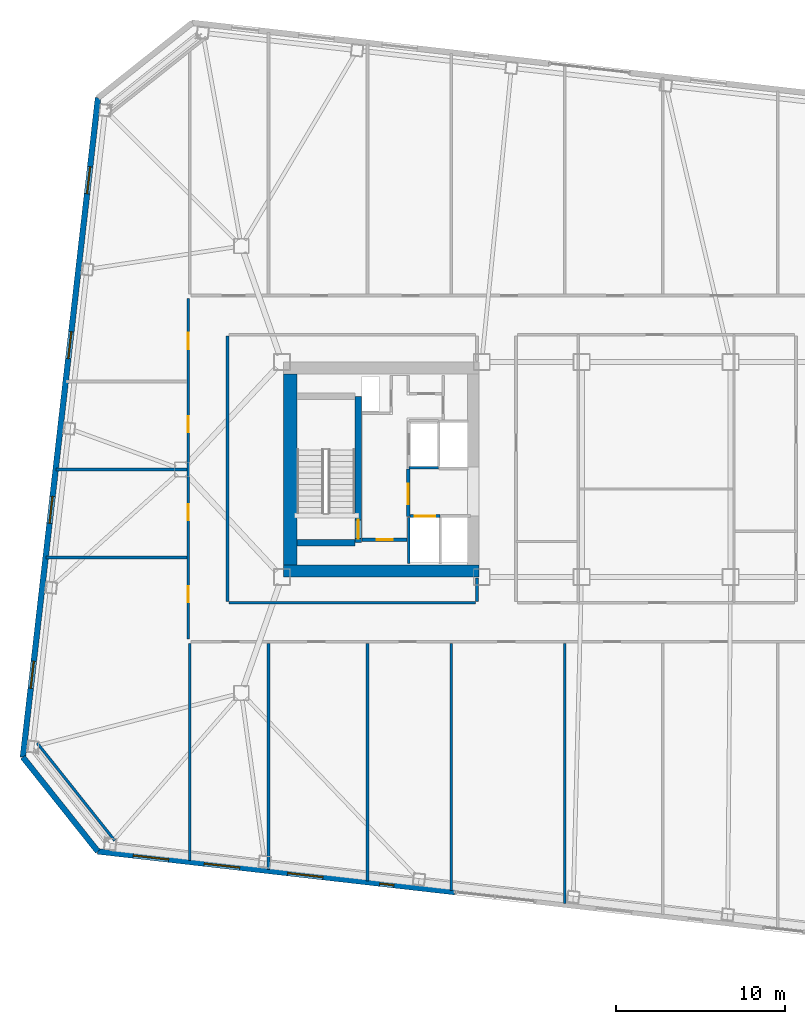
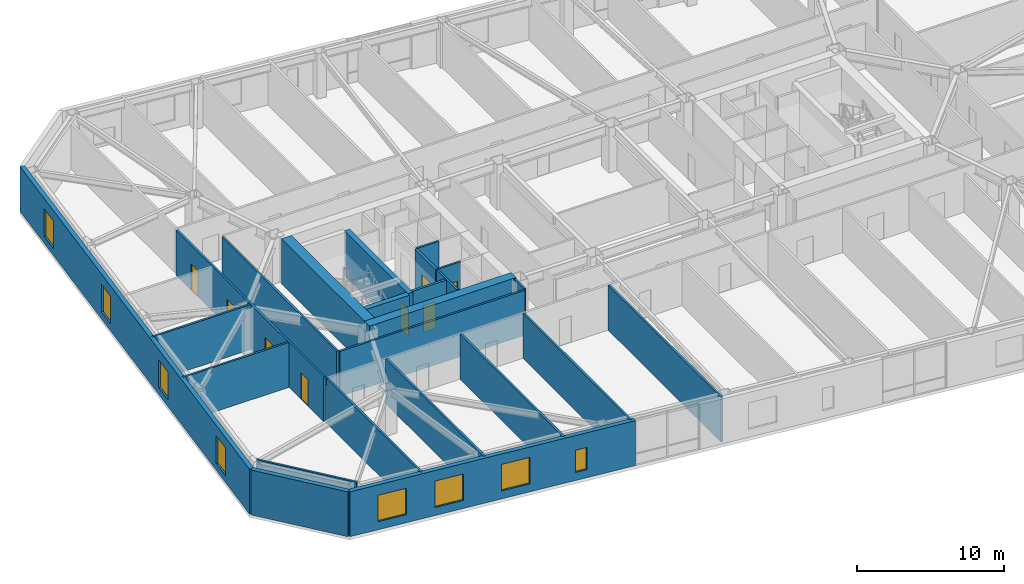
# One storey, part 11 of 21: 24 walls, 8 doors, 8 windows, 16 openings.
"""IFC4 building model written with IfcOpenShell, lengths in metres."""

from ifc_helpers import new_model, si_unit, direction, frame, frame_2d, origin, place, context, subcontext, project, spatial, rectangle, extrude, material, layer, layer_set, type_object, element, fill, save


model = new_model("IFC4")

# Units and contexts
model_context = context("Model", 3, precision=1e-05, world=origin(), true_north=direction((0.0, 1.0)))
body_context = subcontext(model_context, "Body", "Model", "MODEL_VIEW")
ifc_project = project(units=[si_unit("LENGTHUNIT", "METRE"), si_unit("AREAUNIT", "SQUARE_METRE"), si_unit("VOLUMEUNIT", "CUBIC_METRE"), si_unit("PLANEANGLEUNIT", "RADIAN"), si_unit("MASSUNIT", "GRAM", prefix="KILO")], contexts=[model_context])

# Site, building, storey
site_placement = place(None, origin())
site = spatial("IfcSite", under=ifc_project, at=site_placement, CompositionType="ELEMENT")
building_placement = place(site_placement, origin())
building = spatial("IfcBuilding", under=site, at=building_placement, Name="Tavrogorsk Clinical Tower", CompositionType="ELEMENT")
storey_placement = place(building_placement, frame((0.0, 0.0, 137.39990234375)))
storey = spatial("IfcBuildingStorey", under=building, at=storey_placement, Name="L31", CompositionType="ELEMENT", Elevation=137.39990234375)

# Wall, opening, door
ifc_material_1 = material(Name="Concrete B60", Category="concrete")
ifc_layer_1 = layer(ifc_material_1, 0.199951171875)
ifc_layer_set_1 = layer_set([ifc_layer_1], Name="Concrete B60")
wall_type_1 = type_object("IfcWallType", Name="CoreFireWall_200", PredefinedType="SOLIDWALL", material=ifc_layer_set_1)
wall_1_placement = place(storey_placement, frame((-17.3798828125, -4.139892578125, 0.0), z_axis=(0.0, 0.0, 1.0), x_axis=(1.0, 0.0, 0.0)))
wall_1 = element("IfcWall", 1, at=wall_1_placement, inside=storey, type_object=wall_type_1, Name="L31 Core West South Core Room Fire Wall", PredefinedType="SOLIDWALL", context=body_context, shape_type="SweptSolid", body=[
    extrude(rectangle(XDim=2.659912109375, YDim=0.199951171875, at=frame_2d((1.330078125, 0.0))), origin(), (0.0, 0.0, 1.0), 3.739990234375),
])
opening_1_placement = place(wall_1_placement, frame((0.8798828125, 0.0, 0.0)))
opening_1 = element("IfcOpeningElement", 2, at=opening_1_placement, cuts=wall_1, Name="Opening ID-02", PredefinedType="OPENING", context=body_context, shape_type="SweptSolid", body=[
    extrude(rectangle(XDim=0.949951171875, YDim=2.199951171875, at=frame_2d((0.47509765625, 1.10009765625))), frame((0.0, 0.10986328125, 0.0), z_axis=(0.0, -1.0, 0.0), x_axis=(1.0, 0.0, 0.0)), (0.0, 0.0, 1.0), 0.219970703125),
])
ifc_material_2 = material(Name="Laminated timber leaf on aluminium frame", Category="wood")
door_type_1 = type_object("IfcDoorType", Name="InteriorDoor_ID02_950", OperationType="NOTDEFINED", PredefinedType="DOOR", material=ifc_material_2)
door_1_placement = place(opening_1_placement, origin())
door_1 = element("IfcDoor", 3, at=door_1_placement, inside=storey, type_object=door_type_1, Name="L31 Core West South Core Room Door", OperationType="SINGLE_SWING_RIGHT", OverallHeight=2.199951171875, OverallWidth=0.949951171875, PredefinedType="DOOR", context=body_context, shape_type="SweptSolid", body=[
    extrude(rectangle(XDim=0.949951171875, YDim=2.199951171875, at=frame_2d((0.47509765625, 1.10009765625))), frame((0.0, 0.02490234375, 0.0), z_axis=(0.0, -1.0, 0.0), x_axis=(1.0, 0.0, 0.0)), (0.0, 0.0, 1.0), 0.050048828125),
])
fill(opening_1, door_1)

wall_2_placement = place(storey_placement, frame((-14.639892578125, -2.780029296875, 0.0), z_axis=(0.0, 0.0, 1.0), x_axis=(0.0, 1.0, 0.0)))
wall_2 = element("IfcWall", 4, at=wall_2_placement, inside=storey, type_object=wall_type_1, Name="L31 Core West Firefighting Lobby Fire Wall", PredefinedType="SOLIDWALL", context=body_context, shape_type="SweptSolid", body=[
    extrude(rectangle(XDim=2.820068359375, YDim=0.199951171875, at=frame_2d((1.41015625, 0.0))), origin(), (0.0, 0.0, 1.0), 3.739990234375),
])
opening_2_placement = place(wall_2_placement, frame((0.72998046875, 0.0, 0.0)))
opening_2 = element("IfcOpeningElement", 5, at=opening_2_placement, cuts=wall_2, Name="Opening FD-01", PredefinedType="OPENING", context=body_context, shape_type="SweptSolid", body=[
    extrude(rectangle(XDim=1.199951171875, YDim=2.199951171875, at=frame_2d((0.60009765625, 1.10009765625))), frame((0.0, 0.10986328125, 0.0), z_axis=(0.0, -1.0, 0.0), x_axis=(1.0, 0.0, 0.0)), (0.0, 0.0, 1.0), 0.219970703125),
])
ifc_material_3 = material(Name="Galvanised steel fire-rated door assembly", Category="steel")
door_type_2 = type_object("IfcDoorType", Name="FireDoor_FD01_1200", OperationType="NOTDEFINED", PredefinedType="DOOR", material=ifc_material_3)
door_2_placement = place(opening_2_placement, origin())
door_2 = element("IfcDoor", 6, at=door_2_placement, inside=storey, type_object=door_type_2, Name="L31 Core West Firefighting Lobby Entry Door", OperationType="SINGLE_SWING_LEFT", OverallHeight=2.199951171875, OverallWidth=1.199951171875, PredefinedType="DOOR", context=body_context, shape_type="SweptSolid", body=[
    extrude(rectangle(XDim=1.199951171875, YDim=2.199951171875, at=frame_2d((0.60009765625, 1.10009765625))), frame((0.0, 0.02490234375, 0.0), z_axis=(0.0, -1.0, 0.0), x_axis=(1.0, 0.0, 0.0)), (0.0, 0.0, 1.0), 0.050048828125),
])
fill(opening_2, door_2)

# Wall
ifc_material_4 = material(Name="Lightweight concrete blockwork B15", Category="masonry")
ifc_layer_2 = layer(ifc_material_4, 0.159912109375)
ifc_layer_set_2 = layer_set([ifc_layer_2], Name="Lightweight concrete blockwork B15")
wall_type_2 = type_object("IfcWallType", Name="PartitionWall_160", PredefinedType="PARTITIONING", material=ifc_layer_set_2)
wall_3_placement = place(storey_placement, frame((-36.555908203125, -16.161865234375, 0.0), z_axis=(0.0, 0.0, 1.0), x_axis=(0.622522641622, -0.782601789334, 0.0)))
element("IfcWall", 7, at=wall_3_placement, inside=storey, type_object=wall_type_2, Name="L31 Corner Exoskeleton Brace Furring Wall 4", PredefinedType="PARTITIONING", context=body_context, shape_type="SweptSolid", body=[
    extrude(rectangle(XDim=7.354248046875, YDim=0.159912109375, at=frame_2d((3.67724609375, 0.0))), origin(), (0.0, 0.0, 1.0), 3.739990234375),
])

# Wall, openings, doors
wall_4_placement = place(storey_placement, frame((-27.6298828125, -10.014892578125, 0.0), z_axis=(0.0, 0.0, 1.0), x_axis=(0.0, 1.0, 0.0)))
wall_4 = element("IfcWall", 8, at=wall_4_placement, inside=storey, type_object=wall_type_2, Name="L31 Corridor Partition 01", PredefinedType="PARTITIONING", context=body_context, shape_type="SweptSolid", body=[
    extrude(rectangle(XDim=20.1298828125, YDim=0.159912109375, at=frame_2d((10.06494140625, 0.0))), origin(), (0.0, 0.0, 1.0), 3.739990234375),
])
opening_3_placement = place(wall_4_placement, frame((2.169189453125, 0.0, 0.0)))
opening_3 = element("IfcOpeningElement", 9, at=opening_3_placement, cuts=wall_4, Name="Opening ID-02", PredefinedType="OPENING", context=body_context, shape_type="SweptSolid", body=[
    extrude(rectangle(XDim=0.949951171875, YDim=2.199951171875, at=frame_2d((0.47509765625, 1.10009765625))), frame((0.0, 0.08984375, 0.0), z_axis=(0.0, -1.0, 0.0), x_axis=(1.0, 0.0, 0.0)), (0.0, 0.0, 1.0), 0.179931640625),
])
opening_4_placement = place(wall_4_placement, frame((7.02490234375, 0.0, 0.0)))
opening_4 = element("IfcOpeningElement", 10, at=opening_4_placement, cuts=wall_4, Name="Opening ID-02", PredefinedType="OPENING", context=body_context, shape_type="SweptSolid", body=[
    extrude(rectangle(XDim=0.949951171875, YDim=2.199951171875, at=frame_2d((0.47509765625, 1.10009765625))), frame((0.0, 0.08984375, 0.0), z_axis=(0.0, -1.0, 0.0), x_axis=(1.0, 0.0, 0.0)), (0.0, 0.0, 1.0), 0.179931640625),
])
opening_5_placement = place(wall_4_placement, frame((12.22509765625, 0.0, 0.0)))
opening_5 = element("IfcOpeningElement", 11, at=opening_5_placement, cuts=wall_4, Name="Opening ID-02", PredefinedType="OPENING", context=body_context, shape_type="SweptSolid", body=[
    extrude(rectangle(XDim=0.949951171875, YDim=2.199951171875, at=frame_2d((0.47509765625, 1.10009765625))), frame((0.0, 0.08984375, 0.0), z_axis=(0.0, -1.0, 0.0), x_axis=(1.0, 0.0, 0.0)), (0.0, 0.0, 1.0), 0.179931640625),
])
opening_6_placement = place(wall_4_placement, frame((17.130859375, 0.0, 0.0)))
opening_6 = element("IfcOpeningElement", 12, at=opening_6_placement, cuts=wall_4, Name="Opening ID-02", PredefinedType="OPENING", context=body_context, shape_type="SweptSolid", body=[
    extrude(rectangle(XDim=0.949951171875, YDim=2.199951171875, at=frame_2d((0.47509765625, 1.10009765625))), frame((0.0, 0.08984375, 0.0), z_axis=(0.0, -1.0, 0.0), x_axis=(1.0, 0.0, 0.0)), (0.0, 0.0, 1.0), 0.179931640625),
])
door_3_placement = place(opening_3_placement, origin())
door_3 = element("IfcDoor", 13, at=door_3_placement, inside=storey, type_object=door_type_1, Name="L31 W Solarium Day Room & Lounge 1 Door", OperationType="SINGLE_SWING_RIGHT", OverallHeight=2.199951171875, OverallWidth=0.949951171875, PredefinedType="DOOR", context=body_context, shape_type="SweptSolid", body=[
    extrude(rectangle(XDim=0.949951171875, YDim=2.199951171875, at=frame_2d((0.47509765625, 1.10009765625))), frame((0.0, 0.02490234375, 0.0), z_axis=(0.0, -1.0, 0.0), x_axis=(1.0, 0.0, 0.0)), (0.0, 0.0, 1.0), 0.050048828125),
])
fill(opening_3, door_3)
door_4_placement = place(opening_4_placement, origin())
door_4 = element("IfcDoor", 14, at=door_4_placement, inside=storey, type_object=door_type_1, Name="L31 W Rehabilitation Therapy Suite 2 Door", OperationType="SINGLE_SWING_LEFT", OverallHeight=2.199951171875, OverallWidth=0.949951171875, PredefinedType="DOOR", context=body_context, shape_type="SweptSolid", body=[
    extrude(rectangle(XDim=0.949951171875, YDim=2.199951171875, at=frame_2d((0.47509765625, 1.10009765625))), frame((0.0, 0.02490234375, 0.0), z_axis=(0.0, -1.0, 0.0), x_axis=(1.0, 0.0, 0.0)), (0.0, 0.0, 1.0), 0.050048828125),
])
fill(opening_4, door_4)
door_5_placement = place(opening_5_placement, origin())
door_5 = element("IfcDoor", 15, at=door_5_placement, inside=storey, type_object=door_type_1, Name="L31 W Sub-Acute Observation Suite 3 Door", OperationType="SINGLE_SWING_RIGHT", OverallHeight=2.199951171875, OverallWidth=0.949951171875, PredefinedType="DOOR", context=body_context, shape_type="SweptSolid", body=[
    extrude(rectangle(XDim=0.949951171875, YDim=2.199951171875, at=frame_2d((0.47509765625, 1.10009765625))), frame((0.0, 0.02490234375, 0.0), z_axis=(0.0, -1.0, 0.0), x_axis=(1.0, 0.0, 0.0)), (0.0, 0.0, 1.0), 0.050048828125),
])
fill(opening_5, door_5)
door_6_placement = place(opening_6_placement, origin())
door_6 = element("IfcDoor", 16, at=door_6_placement, inside=storey, type_object=door_type_1, Name="L31 W Family Consultation Lounge 4 Door", OperationType="SINGLE_SWING_LEFT", OverallHeight=2.199951171875, OverallWidth=0.949951171875, PredefinedType="DOOR", context=body_context, shape_type="SweptSolid", body=[
    extrude(rectangle(XDim=0.949951171875, YDim=2.199951171875, at=frame_2d((0.47509765625, 1.10009765625))), frame((0.0, 0.02490234375, 0.0), z_axis=(0.0, -1.0, 0.0), x_axis=(1.0, 0.0, 0.0)), (0.0, 0.0, 1.0), 0.050048828125),
])
fill(opening_6, door_6)

# Walls
wall_5_placement = place(storey_placement, frame((-10.580078125, -7.784912109375, 0.0), z_axis=(0.0, 0.0, 1.0), x_axis=(0.0, 1.0, 0.0)))
element("IfcWall", 17, at=wall_5_placement, inside=storey, type_object=wall_type_2, Name="L31 Corridor Partition 14", PredefinedType="PARTITIONING", context=body_context, shape_type="SweptSolid", body=[
    extrude(rectangle(XDim=1.364990234375, YDim=0.159912109375, at=frame_2d((0.6826171875, 0.0))), origin(), (0.0, 0.0, 1.0), 3.739990234375),
])
wall_6_placement = place(storey_placement, frame((-25.320068359375, 7.885009765625, 0.0), z_axis=(0.0, 0.0, 1.0), x_axis=(0.0, -1.0, 0.0)))
element("IfcWall", 18, at=wall_6_placement, inside=storey, type_object=wall_type_2, Name="L31 Corridor Partition 17", PredefinedType="PARTITIONING", context=body_context, shape_type="SweptSolid", body=[
    extrude(rectangle(XDim=15.669921875, YDim=0.159912109375, at=frame_2d((7.8349609375, 0.0))), origin(), (0.0, 0.0, 1.0), 3.739990234375),
])
wall_7_placement = place(storey_placement, frame((-25.235107421875, -7.8701171875, 0.0), z_axis=(0.0, 0.0, 1.0), x_axis=(1.0, 0.0, 0.0)))
element("IfcWall", 19, at=wall_7_placement, inside=storey, type_object=wall_type_2, Name="L31 Corridor Partition 18", PredefinedType="PARTITIONING", context=body_context, shape_type="SweptSolid", body=[
    extrude(rectangle(XDim=14.570068359375, YDim=0.159912109375, at=frame_2d((7.28515625, 0.0))), origin(), (0.0, 0.0, 1.0), 3.739990234375),
])
wall_8_placement = place(storey_placement, frame((-27.550048828125, -23.1064453125, 0.0), z_axis=(0.0, 0.0, 1.0), x_axis=(0.0, 1.0, 0.0)))
element("IfcWall", 20, at=wall_8_placement, inside=storey, type_object=wall_type_2, Name="L31 SW Wing Closure Partition", PredefinedType="PARTITIONING", context=body_context, shape_type="SweptSolid", body=[
    extrude(rectangle(XDim=12.841552734375, YDim=0.159912109375, at=frame_2d((6.4208984375, 0.0))), origin(), (0.0, 0.0, 1.0), 3.739990234375),
])
wall_9_placement = place(storey_placement, frame((-22.89990234375, -23.63623046875, 0.0), z_axis=(0.0, 0.0, 1.0), x_axis=(0.0, 1.0, 0.0)))
element("IfcWall", 21, at=wall_9_placement, inside=storey, type_object=wall_type_2, Name="L31 South Room Partition 1", PredefinedType="PARTITIONING", context=body_context, shape_type="SweptSolid", body=[
    extrude(rectangle(XDim=13.371337890625, YDim=0.159912109375, at=frame_2d((6.685546875, 0.0))), origin(), (0.0, 0.0, 1.0), 3.739990234375),
])
wall_10_placement = place(storey_placement, frame((-12.10009765625, -24.86669921875, 0.0), z_axis=(0.0, 0.0, 1.0), x_axis=(0.0, 1.0, 0.0)))
element("IfcWall", 22, at=wall_10_placement, inside=storey, type_object=wall_type_2, Name="L31 South Room Partition 2", PredefinedType="PARTITIONING", context=body_context, shape_type="SweptSolid", body=[
    extrude(rectangle(XDim=14.601806640625, YDim=0.159912109375, at=frame_2d((7.30078125, 0.0))), origin(), (0.0, 0.0, 1.0), 3.739990234375),
])
wall_11_placement = place(storey_placement, frame((-17.050048828125, -24.302734375, 0.0), z_axis=(0.0, 0.0, 1.0), x_axis=(0.0, 1.0, 0.0)))
element("IfcWall", 23, at=wall_11_placement, inside=storey, type_object=wall_type_2, Name="L31 South Sub-Partition 2", PredefinedType="PARTITIONING", context=body_context, shape_type="SweptSolid", body=[
    extrude(rectangle(XDim=14.037841796875, YDim=0.159912109375, at=frame_2d((7.01904296875, 0.0))), origin(), (0.0, 0.0, 1.0), 3.739990234375),
])
wall_12_placement = place(storey_placement, frame((-5.39990234375, -25.630126953125, 0.0), z_axis=(0.0, 0.0, 1.0), x_axis=(0.0, 1.0, 0.0)))
element("IfcWall", 24, at=wall_12_placement, inside=storey, type_object=wall_type_2, Name="L31 South Sub-Partition 3", PredefinedType="PARTITIONING", context=body_context, shape_type="SweptSolid", body=[
    extrude(rectangle(XDim=15.365234375, YDim=0.159912109375, at=frame_2d((7.6826171875, 0.0))), origin(), (0.0, 0.0, 1.0), 3.739990234375),
])
wall_13_placement = place(storey_placement, frame((-36.0419921875, -5.199951171875, 0.0), z_axis=(0.0, 0.0, 1.0), x_axis=(1.0, 0.0, 0.0)))
element("IfcWall", 25, at=wall_13_placement, inside=storey, type_object=wall_type_2, Name="L31 W Wing Divider 1", PredefinedType="PARTITIONING", context=body_context, shape_type="SweptSolid", body=[
    extrude(rectangle(XDim=8.326904296875, YDim=0.159912109375, at=frame_2d((4.16357421875, 0.0))), origin(), (0.0, 0.0, 1.0), 3.739990234375),
])
wall_14_placement = place(storey_placement, frame((-35.449462890625, 0.0, 0.0), z_axis=(0.0, 0.0, 1.0), x_axis=(1.0, 0.0, 0.0)))
element("IfcWall", 26, at=wall_14_placement, inside=storey, type_object=wall_type_2, Name="L31 W Wing Divider 2", PredefinedType="PARTITIONING", context=body_context, shape_type="SweptSolid", body=[
    extrude(rectangle(XDim=7.734375, YDim=0.159912109375, at=frame_2d((3.8671875, 0.0))), origin(), (0.0, 0.0, 1.0), 3.739990234375),
])

# Wall, openings, windows
ifc_material_5 = material(Name="Precast concrete B45 with limestone cladding", Category="masonry")
ifc_layer_3 = layer(ifc_material_5, 0.340087890625)
ifc_layer_set_3 = layer_set([ifc_layer_3], Name="Precast concrete B45 with limestone cladding")
wall_type_3 = type_object("IfcWallType", Name="PrecastLimestoneWall_340", PredefinedType="STANDARD", material=ifc_layer_set_3)
wall_15_placement = place(storey_placement, frame((-32.977294921875, -22.55859375, 0.0), z_axis=(0.0, 0.0, 1.0), x_axis=(0.993571214605, -0.113208840243, 0.0)))
wall_15 = element("IfcWall", 27, at=wall_15_placement, inside=storey, type_object=wall_type_3, Name="L31 S Limestone Facade Wall 1", PredefinedType="STANDARD", context=body_context, shape_type="SweptSolid", body=[
    extrude(rectangle(XDim=21.22265625, YDim=0.340087890625, at=frame_2d((10.611328125, 0.0))), origin(), (0.0, 0.0, 1.0), 3.739990234375),
])
opening_7_placement = place(wall_15_placement, frame((2.10791015625, 0.0, 0.669921875)))
opening_7 = element("IfcOpeningElement", 28, at=opening_7_placement, cuts=wall_15, Name="Opening WN-03", PredefinedType="OPENING", context=body_context, shape_type="SweptSolid", body=[
    extrude(rectangle(XDim=2.10009765625, YDim=2.199951171875, at=frame_2d((1.050048828125, 1.10009765625))), frame((0.0, 0.179931640625, 0.0), z_axis=(0.0, -1.0, 0.0), x_axis=(1.0, 0.0, 0.0)), (0.0, 0.0, 1.0), 0.360107421875),
])
opening_8_placement = place(wall_15_placement, frame((6.329345703125, 0.0, 0.669921875)))
opening_8 = element("IfcOpeningElement", 29, at=opening_8_placement, cuts=wall_15, Name="Opening WN-03", PredefinedType="OPENING", context=body_context, shape_type="SweptSolid", body=[
    extrude(rectangle(XDim=2.10009765625, YDim=2.199951171875, at=frame_2d((1.050048828125, 1.10009765625))), frame((0.0, 0.179931640625, 0.0), z_axis=(0.0, -1.0, 0.0), x_axis=(1.0, 0.0, 0.0)), (0.0, 0.0, 1.0), 0.360107421875),
])
opening_9_placement = place(wall_15_placement, frame((11.284912109375, 0.0, 0.669921875)))
opening_9 = element("IfcOpeningElement", 30, at=opening_9_placement, cuts=wall_15, Name="Opening WN-03", PredefinedType="OPENING", context=body_context, shape_type="SweptSolid", body=[
    extrude(rectangle(XDim=2.10009765625, YDim=2.199951171875, at=frame_2d((1.050048828125, 1.10009765625))), frame((0.0, 0.179931640625, 0.0), z_axis=(0.0, -1.0, 0.0), x_axis=(1.0, 0.0, 0.0)), (0.0, 0.0, 1.0), 0.360107421875),
])
opening_10_placement = place(wall_15_placement, frame((16.75634765625, 0.0, 0.669921875)))
opening_10 = element("IfcOpeningElement", 31, at=opening_10_placement, cuts=wall_15, Name="Opening WN-06", PredefinedType="OPENING", context=body_context, shape_type="SweptSolid", body=[
    extrude(rectangle(XDim=0.85009765625, YDim=1.85009765625, at=frame_2d((0.425048828125, 0.925048828125))), frame((0.0, 0.179931640625, 0.0), z_axis=(0.0, -1.0, 0.0), x_axis=(1.0, 0.0, 0.0)), (0.0, 0.0, 1.0), 0.360107421875),
])
ifc_material_6 = material(Name="Thermally broken aluminium frame and triple IGU", Category="aluminium")
window_type_1 = type_object("IfcWindowType", Name="MullionSubWin_850x1850", PartitioningType="SINGLE_PANEL", PredefinedType="WINDOW", material=ifc_material_6)
window_1_placement = place(opening_10_placement, origin())
window_1 = element("IfcWindow", 32, at=window_1_placement, inside=storey, type_object=window_type_1, Name="L31 S Mullion Split Window 04B", OverallHeight=1.85009765625, OverallWidth=0.85009765625, PartitioningType="SINGLE_PANEL", PredefinedType="WINDOW", context=body_context, shape_type="SweptSolid", body=[
    extrude(rectangle(XDim=0.85009765625, YDim=1.85009765625, at=frame_2d((0.425048828125, 0.925048828125))), frame((0.0, 0.030029296875, 0.0), z_axis=(0.0, -1.0, 0.0), x_axis=(1.0, 0.0, 0.0)), (0.0, 0.0, 1.0), 0.06005859375),
])
fill(opening_10, window_1)
ifc_material_7 = material(Name="Thermally broken aluminium frame and triple IGU", Category="aluminium")
window_type_2 = type_object("IfcWindowType", Name="PatientTwinWin_2100x2200", PartitioningType="DOUBLE_PANEL_VERTICAL", PredefinedType="WINDOW", material=ifc_material_7)
window_2_placement = place(opening_7_placement, origin())
window_2 = element("IfcWindow", 33, at=window_2_placement, inside=storey, type_object=window_type_2, Name="L31 S Chicago Window 01", OverallHeight=2.199951171875, OverallWidth=2.10009765625, PartitioningType="SINGLE_PANEL", PredefinedType="WINDOW", context=body_context, shape_type="SweptSolid", body=[
    extrude(rectangle(XDim=2.10009765625, YDim=2.199951171875, at=frame_2d((1.050048828125, 1.10009765625))), frame((0.0, 0.030029296875, 0.0), z_axis=(0.0, -1.0, 0.0), x_axis=(1.0, 0.0, 0.0)), (0.0, 0.0, 1.0), 0.06005859375),
])
fill(opening_7, window_2)
window_3_placement = place(opening_8_placement, origin())
window_3 = element("IfcWindow", 34, at=window_3_placement, inside=storey, type_object=window_type_2, Name="L31 S Chicago Window 02", OverallHeight=2.199951171875, OverallWidth=2.10009765625, PartitioningType="SINGLE_PANEL", PredefinedType="WINDOW", context=body_context, shape_type="SweptSolid", body=[
    extrude(rectangle(XDim=2.10009765625, YDim=2.199951171875, at=frame_2d((1.050048828125, 1.10009765625))), frame((0.0, 0.030029296875, 0.0), z_axis=(0.0, -1.0, 0.0), x_axis=(1.0, 0.0, 0.0)), (0.0, 0.0, 1.0), 0.06005859375),
])
fill(opening_8, window_3)
window_4_placement = place(opening_9_placement, origin())
window_4 = element("IfcWindow", 35, at=window_4_placement, inside=storey, type_object=window_type_2, Name="L31 S Chicago Window 03", OverallHeight=2.199951171875, OverallWidth=2.10009765625, PartitioningType="SINGLE_PANEL", PredefinedType="WINDOW", context=body_context, shape_type="SweptSolid", body=[
    extrude(rectangle(XDim=2.10009765625, YDim=2.199951171875, at=frame_2d((1.050048828125, 1.10009765625))), frame((0.0, 0.030029296875, 0.0), z_axis=(0.0, -1.0, 0.0), x_axis=(1.0, 0.0, 0.0)), (0.0, 0.0, 1.0), 0.06005859375),
])
fill(opening_9, window_4)

wall_16_placement = place(storey_placement, frame((-32.968017578125, 21.95654296875, 0.0), z_axis=(0.0, 0.0, 1.0), x_axis=(-0.113201605824, -0.993572038877, 0.0)))
wall_16 = element("IfcWall", 36, at=wall_16_placement, inside=storey, type_object=wall_type_3, Name="L31 W Pleated Limestone Wing Wall", PredefinedType="STANDARD", context=body_context, shape_type="SweptSolid", body=[
    extrude(rectangle(XDim=39.199951171875, YDim=0.340087890625, at=frame_2d((19.60009765625, 0.0))), origin(), (0.0, 0.0, 1.0), 3.739990234375),
])
opening_11_placement = place(wall_16_placement, frame((4.10009765625, 0.0, 0.580078125)))
opening_11 = element("IfcOpeningElement", 37, at=opening_11_placement, cuts=wall_16, Name="Opening WN-07", PredefinedType="OPENING", context=body_context, shape_type="SweptSolid", body=[
    extrude(rectangle(XDim=1.60009765625, YDim=2.300048828125, at=frame_2d((0.800048828125, 1.14990234375))), frame((0.0, 0.179931640625, 0.0), z_axis=(0.0, -1.0, 0.0), x_axis=(1.0, 0.0, 0.0)), (0.0, 0.0, 1.0), 0.360107421875),
])
opening_12_placement = place(wall_16_placement, frame((13.89990234375, 0.0, 0.580078125)))
opening_12 = element("IfcOpeningElement", 38, at=opening_12_placement, cuts=wall_16, Name="Opening WN-07", PredefinedType="OPENING", context=body_context, shape_type="SweptSolid", body=[
    extrude(rectangle(XDim=1.60009765625, YDim=2.300048828125, at=frame_2d((0.800048828125, 1.14990234375))), frame((0.0, 0.179931640625, 0.0), z_axis=(0.0, -1.0, 0.0), x_axis=(1.0, 0.0, 0.0)), (0.0, 0.0, 1.0), 0.360107421875),
])
opening_13_placement = place(wall_16_placement, frame((23.699951171875, 0.0, 0.580078125)))
opening_13 = element("IfcOpeningElement", 39, at=opening_13_placement, cuts=wall_16, Name="Opening WN-07", PredefinedType="OPENING", context=body_context, shape_type="SweptSolid", body=[
    extrude(rectangle(XDim=1.60009765625, YDim=2.300048828125, at=frame_2d((0.800048828125, 1.14990234375))), frame((0.0, 0.179931640625, 0.0), z_axis=(0.0, -1.0, 0.0), x_axis=(1.0, 0.0, 0.0)), (0.0, 0.0, 1.0), 0.360107421875),
])
opening_14_placement = place(wall_16_placement, frame((33.5, 0.0, 0.580078125)))
opening_14 = element("IfcOpeningElement", 40, at=opening_14_placement, cuts=wall_16, Name="Opening WN-07", PredefinedType="OPENING", context=body_context, shape_type="SweptSolid", body=[
    extrude(rectangle(XDim=1.60009765625, YDim=2.300048828125, at=frame_2d((0.800048828125, 1.14990234375))), frame((0.0, 0.179931640625, 0.0), z_axis=(0.0, -1.0, 0.0), x_axis=(1.0, 0.0, 0.0)), (0.0, 0.0, 1.0), 0.360107421875),
])
ifc_material_8 = material(Name="Thermally broken aluminium frame and triple IGU", Category="aluminium")
window_type_3 = type_object("IfcWindowType", Name="PleatSlotWin_1600x2300", PartitioningType="SINGLE_PANEL", PredefinedType="WINDOW", material=ifc_material_8)
window_5_placement = place(opening_11_placement, origin())
window_5 = element("IfcWindow", 41, at=window_5_placement, inside=storey, type_object=window_type_3, Name="L31 W Pleat Slot Window 1", OverallHeight=2.300048828125, OverallWidth=1.60009765625, PartitioningType="SINGLE_PANEL", PredefinedType="WINDOW", context=body_context, shape_type="SweptSolid", body=[
    extrude(rectangle(XDim=1.60009765625, YDim=2.300048828125, at=frame_2d((0.800048828125, 1.14990234375))), frame((0.0, 0.030029296875, 0.0), z_axis=(0.0, -1.0, 0.0), x_axis=(1.0, 0.0, 0.0)), (0.0, 0.0, 1.0), 0.06005859375),
])
fill(opening_11, window_5)
window_6_placement = place(opening_12_placement, origin())
window_6 = element("IfcWindow", 42, at=window_6_placement, inside=storey, type_object=window_type_3, Name="L31 W Pleat Slot Window 2", OverallHeight=2.300048828125, OverallWidth=1.60009765625, PartitioningType="SINGLE_PANEL", PredefinedType="WINDOW", context=body_context, shape_type="SweptSolid", body=[
    extrude(rectangle(XDim=1.60009765625, YDim=2.300048828125, at=frame_2d((0.800048828125, 1.14990234375))), frame((0.0, 0.030029296875, 0.0), z_axis=(0.0, -1.0, 0.0), x_axis=(1.0, 0.0, 0.0)), (0.0, 0.0, 1.0), 0.06005859375),
])
fill(opening_12, window_6)
window_7_placement = place(opening_13_placement, origin())
window_7 = element("IfcWindow", 43, at=window_7_placement, inside=storey, type_object=window_type_3, Name="L31 W Pleat Slot Window 3", OverallHeight=2.300048828125, OverallWidth=1.60009765625, PartitioningType="SINGLE_PANEL", PredefinedType="WINDOW", context=body_context, shape_type="SweptSolid", body=[
    extrude(rectangle(XDim=1.60009765625, YDim=2.300048828125, at=frame_2d((0.800048828125, 1.14990234375))), frame((0.0, 0.030029296875, 0.0), z_axis=(0.0, -1.0, 0.0), x_axis=(1.0, 0.0, 0.0)), (0.0, 0.0, 1.0), 0.06005859375),
])
fill(opening_13, window_7)
window_8_placement = place(opening_14_placement, origin())
window_8 = element("IfcWindow", 44, at=window_8_placement, inside=storey, type_object=window_type_3, Name="L31 W Pleat Slot Window 4", OverallHeight=2.300048828125, OverallWidth=1.60009765625, PartitioningType="SINGLE_PANEL", PredefinedType="WINDOW", context=body_context, shape_type="SweptSolid", body=[
    extrude(rectangle(XDim=1.60009765625, YDim=2.300048828125, at=frame_2d((0.800048828125, 1.14990234375))), frame((0.0, 0.030029296875, 0.0), z_axis=(0.0, -1.0, 0.0), x_axis=(1.0, 0.0, 0.0)), (0.0, 0.0, 1.0), 0.06005859375),
])
fill(opening_14, window_8)

# Walls
wall_17_placement = place(storey_placement, frame((-37.405517578125, -16.991455078125, 0.0), z_axis=(0.0, 0.0, 1.0), x_axis=(0.622507800567, -0.78261359446, 0.0)))
element("IfcWall", 45, at=wall_17_placement, inside=storey, type_object=wall_type_3, Name="L31 Chamfered Corner Wall 4", PredefinedType="STANDARD", context=body_context, shape_type="SweptSolid", body=[
    extrude(rectangle(XDim=7.113525390625, YDim=0.340087890625, at=frame_2d((3.556640625, 0.0))), origin(), (0.0, 0.0, 1.0), 3.739990234375),
])
ifc_material_9 = material(Name="Lightweight concrete blockwork B25", Category="masonry")
ifc_layer_4 = layer(ifc_material_9, 0.159912109375)
ifc_layer_set_4 = layer_set([ifc_layer_4], Name="Lightweight concrete blockwork B25")
wall_type_4 = type_object("IfcWallType", Name="ShaftWall_160", PredefinedType="PARTITIONING", material=ifc_layer_set_4)
wall_18_placement = place(storey_placement, frame((-14.60009765625, 0.10009765625, 0.0), z_axis=(0.0, 0.0, 1.0), x_axis=(1.0, 0.0, 0.0)))
element("IfcWall", 46, at=wall_18_placement, inside=storey, type_object=wall_type_4, Name="L31 FFL-W Shaft South Wall", PredefinedType="PARTITIONING", context=body_context, shape_type="SweptSolid", body=[
    extrude(rectangle(XDim=1.760009765625, YDim=0.159912109375, at=frame_2d((0.8798828125, 0.0))), origin(), (0.0, 0.0, 1.0), 3.739990234375),
])

# Wall, opening, door
wall_19_placement = place(storey_placement, frame((-14.530029296875, -2.75, 0.0), z_axis=(0.0, 0.0, 1.0), x_axis=(1.0, 0.0, 0.0)))
wall_19 = element("IfcWall", 47, at=wall_19_placement, inside=storey, type_object=wall_type_4, Name="L31 LP-L1 Lift Shaft Portal Wall", PredefinedType="PARTITIONING", context=body_context, shape_type="SweptSolid", body=[
    extrude(rectangle(XDim=1.760009765625, YDim=0.159912109375, at=frame_2d((0.8798828125, 0.0))), origin(), (0.0, 0.0, 1.0), 3.739990234375),
])
opening_15_placement = place(wall_19_placement, frame((0.280029296875, 0.0, 0.0)))
opening_15 = element("IfcOpeningElement", 48, at=opening_15_placement, cuts=wall_19, Name="Opening LD", PredefinedType="OPENING", context=body_context, shape_type="SweptSolid", body=[
    extrude(rectangle(XDim=1.199951171875, YDim=2.199951171875, at=frame_2d((0.60009765625, 1.10009765625))), frame((0.0, 0.08984375, 0.0), z_axis=(0.0, -1.0, 0.0), x_axis=(1.0, 0.0, 0.0)), (0.0, 0.0, 1.0), 0.179931640625),
])
ifc_material_10 = material(Name="Brushed stainless steel AISI 304 sliding doors", Category="steel")
door_type_3 = type_object("IfcDoorType", Name="LiftLandingDoor_LD_1200", OperationType="SLIDING_TO_LEFT", PredefinedType="DOOR", material=ifc_material_10)
door_7_placement = place(opening_15_placement, origin())
door_7 = element("IfcDoor", 49, at=door_7_placement, inside=storey, type_object=door_type_3, Name="L31 LP-L1 Sliding Lift Landing Door", OperationType="SLIDING_TO_LEFT", OverallHeight=2.199951171875, OverallWidth=1.199951171875, PredefinedType="DOOR", context=body_context, shape_type="SweptSolid", body=[
    extrude(rectangle(XDim=1.199951171875, YDim=2.199951171875, at=frame_2d((0.60009765625, 1.10009765625))), frame((0.0, 0.02490234375, 0.0), z_axis=(0.0, -1.0, 0.0), x_axis=(1.0, 0.0, 0.0)), (0.0, 0.0, 1.0), 0.050048828125),
])
fill(opening_15, door_7)

# Wall
wall_20_placement = place(storey_placement, frame((-14.610107421875, -5.5400390625, 0.0), z_axis=(0.0, 0.0, 1.0), x_axis=(0.0, 1.0, 0.0)))
element("IfcWall", 50, at=wall_20_placement, inside=storey, type_object=wall_type_4, Name="L31 LP-L1 Lift Hoistway Outer Cheek Wall", PredefinedType="PARTITIONING", context=body_context, shape_type="SweptSolid", body=[
    extrude(rectangle(XDim=2.699951171875, YDim=0.159912109375, at=frame_2d((1.35009765625, 0.0))), origin(), (0.0, 0.0, 1.0), 3.739990234375),
])

# Wall, opening, door
ifc_material_11 = material(Name="Concrete B80", Category="concrete")
ifc_layer_5 = layer(ifc_material_11, 0.39990234375)
ifc_layer_set_5 = layer_set([ifc_layer_5], Name="Concrete B80")
wall_type_5 = type_object("IfcWallType", Name="ShearWall_400", PredefinedType="SHEAR", material=ifc_layer_set_5)
wall_21_placement = place(storey_placement, frame((-17.60009765625, -4.324951171875, 0.0), z_axis=(0.0, 0.0, 1.0), x_axis=(0.0, 1.0, 0.0)))
wall_21 = element("IfcWall", 51, at=wall_21_placement, inside=storey, type_object=wall_type_5, Name="L31 Core West Stair Shaft Inner Shear Wall", PredefinedType="SHEAR", context=body_context, shape_type="SweptSolid", body=[
    extrude(rectangle(XDim=8.64990234375, YDim=0.39990234375, at=frame_2d((4.324951171875, 0.0))), origin(), (0.0, 0.0, 1.0), 3.739990234375),
])
opening_16_placement = place(wall_21_placement, frame((0.25, 0.0, 0.0)))
opening_16 = element("IfcOpeningElement", 52, at=opening_16_placement, cuts=wall_21, Name="Opening SD-01", PredefinedType="OPENING", context=body_context, shape_type="SweptSolid", body=[
    extrude(rectangle(XDim=1.10009765625, YDim=2.199951171875, at=frame_2d((0.550048828125, 1.10009765625))), frame((0.0, 0.2099609375, 0.0), z_axis=(0.0, -1.0, 0.0), x_axis=(1.0, 0.0, 0.0)), (0.0, 0.0, 1.0), 0.419921875),
])
ifc_material_12 = material(Name="Galvanised steel smoke-tight fire door assembly", Category="steel")
door_type_4 = type_object("IfcDoorType", Name="StairFireDoor_SD01_1100", OperationType="NOTDEFINED", PredefinedType="DOOR", material=ifc_material_12)
door_8_placement = place(opening_16_placement, origin())
door_8 = element("IfcDoor", 53, at=door_8_placement, inside=storey, type_object=door_type_4, Name="L31 ST-W Exit Stair Door", OperationType="SINGLE_SWING_RIGHT", OverallHeight=2.199951171875, OverallWidth=1.10009765625, PredefinedType="DOOR", context=body_context, shape_type="SweptSolid", body=[
    extrude(rectangle(XDim=1.10009765625, YDim=2.199951171875, at=frame_2d((0.550048828125, 1.10009765625))), frame((0.0, 0.02490234375, 0.0), z_axis=(0.0, -1.0, 0.0), x_axis=(1.0, 0.0, 0.0)), (0.0, 0.0, 1.0), 0.050048828125),
])
fill(opening_16, door_8)

# Walls
wall_22_placement = place(storey_placement, frame((-21.199951171875, -4.324951171875, 0.0), z_axis=(0.0, 0.0, 1.0), x_axis=(1.0, 0.0, 0.0)))
element("IfcWall", 54, at=wall_22_placement, inside=storey, type_object=wall_type_5, Name="L31 Core West Stair Shaft South Shear Wall", PredefinedType="SHEAR", context=body_context, shape_type="SweptSolid", body=[
    extrude(rectangle(XDim=3.39990234375, YDim=0.39990234375, at=frame_2d((1.699951171875, 0.0))), origin(), (0.0, 0.0, 1.0), 3.739990234375),
])
ifc_material_13 = material(Name="Concrete B80", Category="concrete")
ifc_layer_6 = layer(ifc_material_13, 0.699951171875)
ifc_layer_set_6 = layer_set([ifc_layer_6], Name="Concrete B80")
wall_type_6 = type_object("IfcWallType", Name="ShearWall_700", PredefinedType="SHEAR", material=ifc_layer_set_6)
wall_23_placement = place(storey_placement, frame((-22.0, -6.0, 0.0), z_axis=(0.0, 0.0, 1.0), x_axis=(1.0, 0.0, 0.0)))
element("IfcWall", 55, at=wall_23_placement, inside=storey, type_object=wall_type_6, Name="L31 Core West South Shear Wall", PredefinedType="SHEAR", context=body_context, shape_type="SweptSolid", body=[
    extrude(rectangle(XDim=11.550048828125, YDim=0.699951171875, at=frame_2d((5.77490234375, 0.0))), origin(), (0.0, 0.0, 1.0), 3.739990234375),
])
ifc_material_14 = material(Name="Concrete B80", Category="concrete")
ifc_layer_7 = layer(ifc_material_14, 0.800048828125)
ifc_layer_set_7 = layer_set([ifc_layer_7], Name="Concrete B80")
wall_type_7 = type_object("IfcWallType", Name="ShearWall_800", PredefinedType="SHEAR", material=ifc_layer_set_7)
wall_24_placement = place(storey_placement, frame((-21.60009765625, -5.64990234375, 0.0), z_axis=(0.0, 0.0, 1.0), x_axis=(0.0, 1.0, 0.0)))
element("IfcWall", 56, at=wall_24_placement, inside=storey, type_object=wall_type_7, Name="L31 Core West End Shear Wall", PredefinedType="SHEAR", context=body_context, shape_type="SweptSolid", body=[
    extrude(rectangle(XDim=11.2998046875, YDim=0.800048828125, at=frame_2d((5.64990234375, 0.0))), origin(), (0.0, 0.0, 1.0), 3.739990234375),
])

save(model, "model.ifc")
